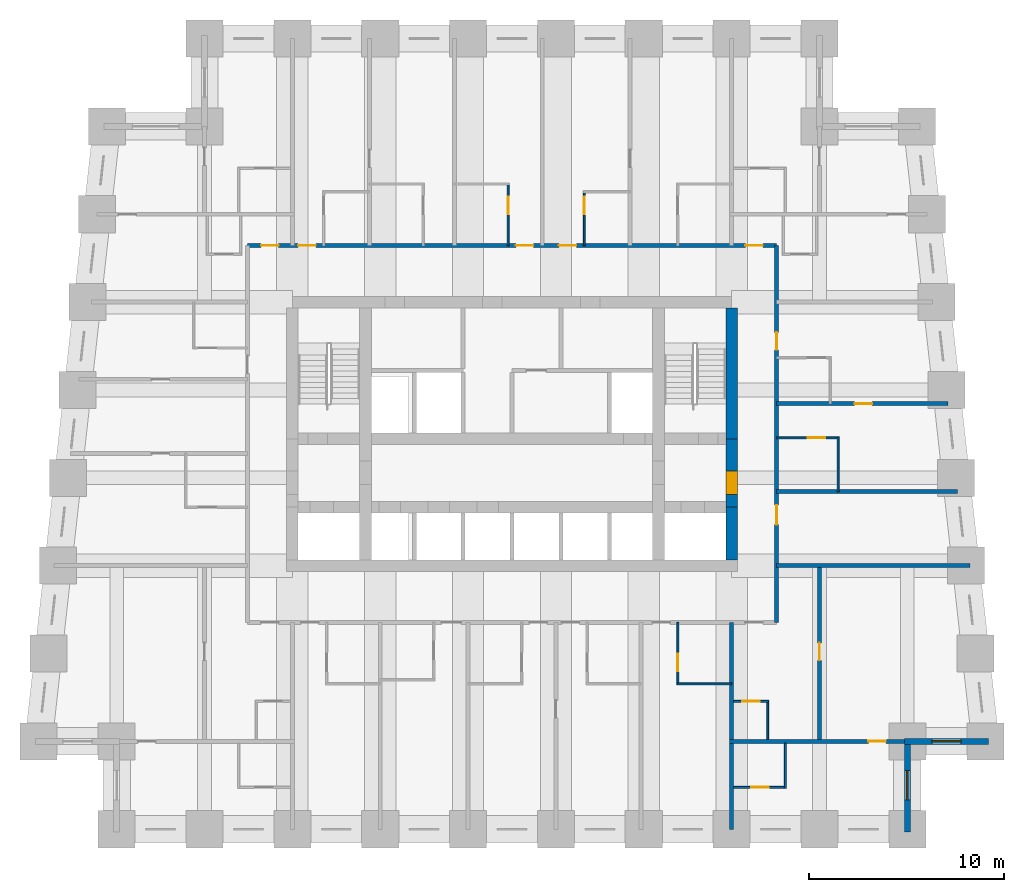
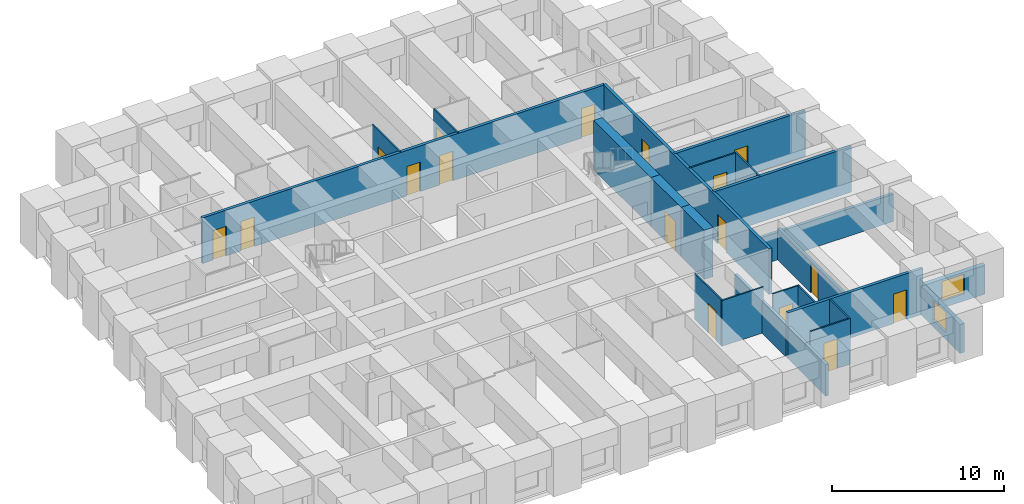
# One storey, part 5 of 8: 23 walls, 17 doors, 2 windows, 19 openings.
"""IFC4 building model written with IfcOpenShell, lengths in metres."""

from ifc_helpers import new_model, si_unit, direction, frame, frame_2d, origin, place, context, subcontext, project, spatial, rectangle, extrude, material, layer, layer_set, type_object, element, fill, save


model = new_model("IFC4")

# Units and contexts
model_context = context("Model", 3, precision=1e-05, world=origin(), true_north=direction((0.0, 1.0)))
body_context = subcontext(model_context, "Body", "Model", "MODEL_VIEW")
ifc_project = project(units=[si_unit("LENGTHUNIT", "METRE"), si_unit("AREAUNIT", "SQUARE_METRE"), si_unit("VOLUMEUNIT", "CUBIC_METRE"), si_unit("PLANEANGLEUNIT", "RADIAN"), si_unit("MASSUNIT", "GRAM", prefix="KILO")], contexts=[model_context])

# Site, building, storey
site_placement = place(None, origin())
site = spatial("IfcSite", under=ifc_project, at=site_placement, CompositionType="ELEMENT")
building_placement = place(site_placement, origin())
building = spatial("IfcBuilding", under=site, at=building_placement, Name="Kilele Tower Hotel", CompositionType="ELEMENT")
storey_placement = place(building_placement, frame((0.0, 0.0, 61.199951171875)))
storey = spatial("IfcBuildingStorey", under=building, at=storey_placement, Name="L14", CompositionType="ELEMENT", Elevation=61.199951171875)

# Wall
ifc_material_1 = material(Name="Moisture-resistant board")
ifc_layer_1 = layer(ifc_material_1, 0.10009765625)
ifc_layer_set_1 = layer_set([ifc_layer_1], Name="Moisture-resistant board")
wall_type_1 = type_object("IfcWallType", Name="Bathroom partition 100", PredefinedType="PLUMBINGWALL", material=ifc_layer_set_1)
wall_1_placement = place(storey_placement, frame((33.199951171875, 7.449951171875, 0.0), z_axis=(0.0, 0.0, 1.0), x_axis=(1.0, 0.0, 0.0)))
element("IfcWall", 1, at=wall_1_placement, inside=storey, type_object=wall_type_1, Name="Bathroom partition 100 L14", PredefinedType="PLUMBINGWALL", context=body_context, shape_type="SweptSolid", body=[
    extrude(rectangle(XDim=2.800048828125, YDim=0.10009765625, at=frame_2d((1.39990234375, 0.0))), origin(), (0.0, 0.0, 1.0), 3.25),
])

# Wall, opening, door
wall_2_placement = place(storey_placement, frame((33.25, 10.60009765625, 0.0), z_axis=(0.0, 0.0, 1.0), x_axis=(0.0, -1.0, 0.0)))
wall_2 = element("IfcWall", 2, at=wall_2_placement, inside=storey, type_object=wall_type_1, Name="Bathroom partition 100 L14", PredefinedType="PLUMBINGWALL", context=body_context, shape_type="SweptSolid", body=[
    extrude(rectangle(XDim=3.2001953125, YDim=0.10009765625, at=frame_2d((1.60009765625, 0.0))), origin(), (0.0, 0.0, 1.0), 3.25),
])
opening_1_placement = place(wall_2_placement, frame((2.5, 0.0, 0.0), z_axis=(0.0, 0.0, 1.0), x_axis=(-1.0, 0.0, 0.0)))
opening_1 = element("IfcOpeningElement", 3, at=opening_1_placement, cuts=wall_2, Name="Opening D2A", PredefinedType="OPENING", context=body_context, shape_type="SweptSolid", body=[
    extrude(rectangle(XDim=0.89990234375, YDim=2.10009765625, at=frame_2d((0.449951171875, 1.050048828125))), frame((0.0, 0.06005859375, 0.0), z_axis=(0.0, -1.0, 0.0), x_axis=(1.0, 0.0, 0.0)), (0.0, 0.0, 1.0), 0.1201171875),
])
ifc_material_2 = material(Name="Timber door leaf in hardwood frame", Category="wood")
door_type_1 = type_object("IfcDoorType", Name="Bathroom door 900", OperationType="SINGLE_SWING_LEFT", PredefinedType="DOOR", material=ifc_material_2)
door_1_placement = place(opening_1_placement, origin())
door_1 = element("IfcDoor", 4, at=door_1_placement, inside=storey, type_object=door_type_1, Name="Bathroom door 1405B", OperationType="SINGLE_SWING_LEFT", OverallHeight=2.10009765625, OverallWidth=0.89990234375, PredefinedType="DOOR", context=body_context, shape_type="SweptSolid", body=[
    extrude(rectangle(XDim=0.89990234375, YDim=2.10009765625, at=frame_2d((0.449951171875, 1.050048828125))), frame((0.0, 0.02490234375, 0.0), z_axis=(0.0, -1.0, 0.0), x_axis=(1.0, 0.0, 0.0)), (0.0, 0.0, 1.0), 0.050048828125),
])
fill(opening_1, door_1)

# Wall
wall_3_placement = place(storey_placement, frame((41.449951171875, 17.300048828125, 0.0), z_axis=(0.0, 0.0, 1.0), x_axis=(0.0, 1.0, 0.0)))
element("IfcWall", 5, at=wall_3_placement, inside=storey, type_object=wall_type_1, Name="Bathroom partition 100 L14", PredefinedType="PLUMBINGWALL", context=body_context, shape_type="SweptSolid", body=[
    extrude(rectangle(XDim=2.800048828125, YDim=0.10009765625, at=frame_2d((1.39990234375, 0.0))), origin(), (0.0, 0.0, 1.0), 3.25),
])

# Wall, opening, door
wall_4_placement = place(storey_placement, frame((38.300048828125, 20.050048828125, 0.0), z_axis=(0.0, 0.0, 1.0), x_axis=(1.0, 0.0, 0.0)))
wall_4 = element("IfcWall", 6, at=wall_4_placement, inside=storey, type_object=wall_type_1, Name="Bathroom partition 100 L14", PredefinedType="PLUMBINGWALL", context=body_context, shape_type="SweptSolid", body=[
    extrude(rectangle(XDim=3.199951171875, YDim=0.10009765625, at=frame_2d((1.60009765625, 0.0))), origin(), (0.0, 0.0, 1.0), 3.25),
])
opening_2_placement = place(wall_4_placement, frame((1.60009765625, 0.0, 0.0)))
opening_2 = element("IfcOpeningElement", 7, at=opening_2_placement, cuts=wall_4, Name="Opening D2A", PredefinedType="OPENING", context=body_context, shape_type="SweptSolid", body=[
    extrude(rectangle(XDim=0.89990234375, YDim=2.10009765625, at=frame_2d((0.449951171875, 1.050048828125))), frame((0.0, 0.06005859375, 0.0), z_axis=(0.0, -1.0, 0.0), x_axis=(1.0, 0.0, 0.0)), (0.0, 0.0, 1.0), 0.1201171875),
])
door_2_placement = place(opening_2_placement, origin())
door_2 = element("IfcDoor", 8, at=door_2_placement, inside=storey, type_object=door_type_1, Name="Bathroom door 1407B", OperationType="SINGLE_SWING_LEFT", OverallHeight=2.10009765625, OverallWidth=0.89990234375, PredefinedType="DOOR", context=body_context, shape_type="SweptSolid", body=[
    extrude(rectangle(XDim=0.89990234375, YDim=2.10009765625, at=frame_2d((0.449951171875, 1.050048828125))), frame((0.0, 0.02490234375, 0.0), z_axis=(0.0, -1.0, 0.0), x_axis=(1.0, 0.0, 0.0)), (0.0, 0.0, 1.0), 0.050048828125),
])
fill(opening_2, door_2)

wall_5_placement = place(storey_placement, frame((24.550048828125, 29.89990234375, 0.0), z_axis=(0.0, 0.0, 1.0), x_axis=(0.0, 1.0, 0.0)))
wall_5 = element("IfcWall", 9, at=wall_5_placement, inside=storey, type_object=wall_type_1, Name="Bathroom partition 100 L14", PredefinedType="PLUMBINGWALL", context=body_context, shape_type="SweptSolid", body=[
    extrude(rectangle(XDim=3.2001953125, YDim=0.10009765625, at=frame_2d((1.60009765625, 0.0))), origin(), (0.0, 0.0, 1.0), 3.25),
])
opening_3_placement = place(wall_5_placement, frame((2.5, 0.0, 0.0), z_axis=(0.0, 0.0, 1.0), x_axis=(-1.0, 0.0, 0.0)))
opening_3 = element("IfcOpeningElement", 10, at=opening_3_placement, cuts=wall_5, Name="Opening D2A", PredefinedType="OPENING", context=body_context, shape_type="SweptSolid", body=[
    extrude(rectangle(XDim=0.89990234375, YDim=2.10009765625, at=frame_2d((0.449951171875, 1.050048828125))), frame((0.0, 0.06005859375, 0.0), z_axis=(0.0, -1.0, 0.0), x_axis=(1.0, 0.0, 0.0)), (0.0, 0.0, 1.0), 0.1201171875),
])
door_3_placement = place(opening_3_placement, origin())
door_3 = element("IfcDoor", 11, at=door_3_placement, inside=storey, type_object=door_type_1, Name="Bathroom door 1411B", OperationType="SINGLE_SWING_RIGHT", OverallHeight=2.10009765625, OverallWidth=0.89990234375, PredefinedType="DOOR", context=body_context, shape_type="SweptSolid", body=[
    extrude(rectangle(XDim=0.89990234375, YDim=2.10009765625, at=frame_2d((0.449951171875, 1.050048828125))), frame((0.0, 0.02490234375, 0.0), z_axis=(0.0, -1.0, 0.0), x_axis=(1.0, 0.0, 0.0)), (0.0, 0.0, 1.0), 0.050048828125),
])
fill(opening_3, door_3)

wall_6_placement = place(storey_placement, frame((28.449951171875, 29.89990234375, 0.0), z_axis=(0.0, 0.0, 1.0), x_axis=(0.0, 1.0, 0.0)))
wall_6 = element("IfcWall", 12, at=wall_6_placement, inside=storey, type_object=wall_type_1, Name="Bathroom partition 100 L14", PredefinedType="PLUMBINGWALL", context=body_context, shape_type="SweptSolid", body=[
    extrude(rectangle(XDim=2.800048828125, YDim=0.10009765625, at=frame_2d((1.39990234375, 0.0))), origin(), (0.0, 0.0, 1.0), 3.25),
])
opening_4_placement = place(wall_6_placement, frame((1.60009765625, 0.0, 0.0)))
opening_4 = element("IfcOpeningElement", 13, at=opening_4_placement, cuts=wall_6, Name="Opening D2A", PredefinedType="OPENING", context=body_context, shape_type="SweptSolid", body=[
    extrude(rectangle(XDim=0.89990234375, YDim=2.10009765625, at=frame_2d((0.449951171875, 1.050048828125))), frame((0.0, 0.06005859375, 0.0), z_axis=(0.0, -1.0, 0.0), x_axis=(1.0, 0.0, 0.0)), (0.0, 0.0, 1.0), 0.1201171875),
])
door_4_placement = place(opening_4_placement, origin())
door_4 = element("IfcDoor", 14, at=door_4_placement, inside=storey, type_object=door_type_1, Name="Bathroom door 1412B", OperationType="SINGLE_SWING_LEFT", OverallHeight=2.10009765625, OverallWidth=0.89990234375, PredefinedType="DOOR", context=body_context, shape_type="SweptSolid", body=[
    extrude(rectangle(XDim=0.89990234375, YDim=2.10009765625, at=frame_2d((0.449951171875, 1.050048828125))), frame((0.0, 0.02490234375, 0.0), z_axis=(0.0, -1.0, 0.0), x_axis=(1.0, 0.0, 0.0)), (0.0, 0.0, 1.0), 0.050048828125),
])
fill(opening_4, door_4)

# Wall
wall_7_placement = place(storey_placement, frame((37.85009765625, 4.60009765625, 0.0), z_axis=(0.0, 0.0, 1.0), x_axis=(0.0, 1.0, 0.0)))
element("IfcWall", 15, at=wall_7_placement, inside=storey, type_object=wall_type_1, Name="Bathroom partition 100 L14", PredefinedType="PLUMBINGWALL", context=body_context, shape_type="SweptSolid", body=[
    extrude(rectangle(XDim=2.0, YDim=0.10009765625, at=frame_2d((1.0, 0.0))), origin(), (0.0, 0.0, 1.0), 3.25),
])

# Wall, opening, door
wall_8_placement = place(storey_placement, frame((36.10009765625, 6.550048828125, 0.0), z_axis=(0.0, 0.0, 1.0), x_axis=(1.0, 0.0, 0.0)))
wall_8 = element("IfcWall", 16, at=wall_8_placement, inside=storey, type_object=wall_type_1, Name="Bathroom partition 100 L14", PredefinedType="PLUMBINGWALL", context=body_context, shape_type="SweptSolid", body=[
    extrude(rectangle(XDim=1.7998046875, YDim=0.10009765625, at=frame_2d((0.89990234375, 0.0))), origin(), (0.0, 0.0, 1.0), 3.25),
])
opening_5_placement = place(wall_8_placement, frame((0.449951171875, 0.0, 0.0)))
opening_5 = element("IfcOpeningElement", 17, at=opening_5_placement, cuts=wall_8, Name="Opening D2A", PredefinedType="OPENING", context=body_context, shape_type="SweptSolid", body=[
    extrude(rectangle(XDim=0.89990234375, YDim=2.10009765625, at=frame_2d((0.449951171875, 1.050048828125))), frame((0.0, 0.06005859375, 0.0), z_axis=(0.0, -1.0, 0.0), x_axis=(1.0, 0.0, 0.0)), (0.0, 0.0, 1.0), 0.1201171875),
])
door_5_placement = place(opening_5_placement, origin())
door_5 = element("IfcDoor", 18, at=door_5_placement, inside=storey, type_object=door_type_1, Name="Bathroom door 1420P", OperationType="SINGLE_SWING_LEFT", OverallHeight=2.10009765625, OverallWidth=0.89990234375, PredefinedType="DOOR", context=body_context, shape_type="SweptSolid", body=[
    extrude(rectangle(XDim=0.89990234375, YDim=2.10009765625, at=frame_2d((0.449951171875, 1.050048828125))), frame((0.0, 0.02490234375, 0.0), z_axis=(0.0, -1.0, 0.0), x_axis=(1.0, 0.0, 0.0)), (0.0, 0.0, 1.0), 0.050048828125),
])
fill(opening_5, door_5)

# Wall
wall_9_placement = place(storey_placement, frame((38.75, 4.39990234375, 0.0), z_axis=(0.0, 0.0, 1.0), x_axis=(0.0, -1.0, 0.0)))
element("IfcWall", 19, at=wall_9_placement, inside=storey, type_object=wall_type_1, Name="Bathroom partition 100 L14", PredefinedType="PLUMBINGWALL", context=body_context, shape_type="SweptSolid", body=[
    extrude(rectangle(XDim=2.2998046875, YDim=0.10009765625, at=frame_2d((1.14990234375, 0.0))), origin(), (0.0, 0.0, 1.0), 3.25),
])

# Wall, opening, door
wall_10_placement = place(storey_placement, frame((36.10009765625, 2.14990234375, 0.0), z_axis=(0.0, 0.0, 1.0), x_axis=(1.0, 0.0, 0.0)))
wall_10 = element("IfcWall", 20, at=wall_10_placement, inside=storey, type_object=wall_type_1, Name="Bathroom partition 100 L14", PredefinedType="PLUMBINGWALL", context=body_context, shape_type="SweptSolid", body=[
    extrude(rectangle(XDim=2.699951171875, YDim=0.10009765625, at=frame_2d((1.35009765625, 0.0))), origin(), (0.0, 0.0, 1.0), 3.25),
])
opening_6_placement = place(wall_10_placement, frame((1.7998046875, 0.0, 0.0), z_axis=(0.0, 0.0, 1.0), x_axis=(-1.0, 0.0, 0.0)))
opening_6 = element("IfcOpeningElement", 21, at=opening_6_placement, cuts=wall_10, Name="Opening D2A", PredefinedType="OPENING", context=body_context, shape_type="SweptSolid", body=[
    extrude(rectangle(XDim=0.89990234375, YDim=2.10009765625, at=frame_2d((0.449951171875, 1.050048828125))), frame((0.0, 0.06005859375, 0.0), z_axis=(0.0, -1.0, 0.0), x_axis=(1.0, 0.0, 0.0)), (0.0, 0.0, 1.0), 0.1201171875),
])
door_6_placement = place(opening_6_placement, origin())
door_6 = element("IfcDoor", 22, at=door_6_placement, inside=storey, type_object=door_type_1, Name="Bathroom door 1422B", OperationType="SINGLE_SWING_RIGHT", OverallHeight=2.10009765625, OverallWidth=0.89990234375, PredefinedType="DOOR", context=body_context, shape_type="SweptSolid", body=[
    extrude(rectangle(XDim=0.89990234375, YDim=2.10009765625, at=frame_2d((0.449951171875, 1.050048828125))), frame((0.0, 0.02490234375, 0.0), z_axis=(0.0, -1.0, 0.0), x_axis=(1.0, 0.0, 0.0)), (0.0, 0.0, 1.0), 0.050048828125),
])
fill(opening_6, door_6)

# Wall
ifc_material_3 = material(Name="Concrete C60/75", Category="concrete")
ifc_layer_2 = layer(ifc_material_3, 0.60009765625)
ifc_layer_set_2 = layer_set([ifc_layer_2], Name="Concrete C60/75")
wall_type_2 = type_object("IfcWallType", Name="Core wall 600 C60/75", PredefinedType="SHEAR", material=ifc_layer_set_2)
wall_11_placement = place(storey_placement, frame((36.0, 13.800048828125, 0.0), z_axis=(0.0, 0.0, 1.0), x_axis=(0.0, 1.0, 0.0)))
element("IfcWall", 23, at=wall_11_placement, inside=storey, type_object=wall_type_2, Name="Core wall E1 L14", PredefinedType="SHEAR", context=body_context, shape_type="SweptSolid", body=[
    extrude(rectangle(XDim=2.699951171875, YDim=0.60009765625, at=frame_2d((1.35009765625, 0.0))), origin(), (0.0, 0.0, 1.0), 3.5),
])

# Wall, opening, door
wall_12_placement = place(storey_placement, frame((36.0, 16.5, 0.0), z_axis=(0.0, 0.0, 1.0), x_axis=(0.0, 1.0, 0.0)))
wall_12 = element("IfcWall", 24, at=wall_12_placement, inside=storey, type_object=wall_type_2, Name="Core wall E2 L14", PredefinedType="SHEAR", context=body_context, shape_type="SweptSolid", body=[
    extrude(rectangle(XDim=3.5, YDim=0.60009765625, at=frame_2d((1.75, 0.0))), origin(), (0.0, 0.0, 1.0), 3.5),
])
opening_7_placement = place(wall_12_placement, frame((0.64990234375, 0.0, 0.0)))
opening_7 = element("IfcOpeningElement", 25, at=opening_7_placement, cuts=wall_12, Name="Opening D4", PredefinedType="OPENING", context=body_context, shape_type="SweptSolid", body=[
    extrude(rectangle(XDim=1.199951171875, YDim=2.10009765625, at=frame_2d((0.60009765625, 1.050048828125))), frame((0.0, 0.31005859375, 0.0), z_axis=(0.0, -1.0, 0.0), x_axis=(1.0, 0.0, 0.0)), (0.0, 0.0, 1.0), 0.6201171875),
])
ifc_material_4 = material(Name="Timber door leaf in hardwood frame", Category="wood")
door_type_2 = type_object("IfcDoorType", Name="Firefighting lobby door 1200", OperationType="SINGLE_SWING_LEFT", PredefinedType="DOOR", material=ifc_material_4)
door_7_placement = place(opening_7_placement, origin())
door_7 = element("IfcDoor", 26, at=door_7_placement, inside=storey, type_object=door_type_2, Name="Lobby door L14", OperationType="SINGLE_SWING_LEFT", OverallHeight=2.10009765625, OverallWidth=1.199951171875, PredefinedType="DOOR", context=body_context, shape_type="SweptSolid", body=[
    extrude(rectangle(XDim=1.199951171875, YDim=2.10009765625, at=frame_2d((0.60009765625, 1.050048828125))), frame((0.0, 0.2998046875, 0.0), z_axis=(0.0, -1.0, 0.0), x_axis=(1.0, 0.0, 0.0)), (0.0, 0.0, 1.0), 0.599609375),
])
fill(opening_7, door_7)

# Wall
wall_13_placement = place(storey_placement, frame((36.0, 20.0, 0.0), z_axis=(0.0, 0.0, 1.0), x_axis=(0.0, 1.0, 0.0)))
element("IfcWall", 27, at=wall_13_placement, inside=storey, type_object=wall_type_2, Name="Core wall E3 L14", PredefinedType="SHEAR", context=body_context, shape_type="SweptSolid", body=[
    extrude(rectangle(XDim=6.699951171875, YDim=0.60009765625, at=frame_2d((3.35009765625, 0.0))), origin(), (0.0, 0.0, 1.0), 3.5),
])

# Wall, openings, doors
ifc_material_5 = material(Name="Blockwork, plastered both sides", Category="masonry")
ifc_layer_3 = layer(ifc_material_5, 0.199951171875)
ifc_layer_set_3 = layer_set([ifc_layer_3], Name="Blockwork, plastered both sides")
wall_type_3 = type_object("IfcWallType", Name="Corridor wall 200", PredefinedType="PARTITIONING", material=ifc_layer_set_3)
wall_14_placement = place(storey_placement, frame((11.199951171875, 29.89990234375, 0.0), z_axis=(0.0, 0.0, 1.0), x_axis=(1.0, 0.0, 0.0)))
wall_14 = element("IfcWall", 28, at=wall_14_placement, inside=storey, type_object=wall_type_3, Name="Corridor wall 200 L14", PredefinedType="PARTITIONING", context=body_context, shape_type="SweptSolid", body=[
    extrude(rectangle(XDim=27.10009765625, YDim=0.199951171875, at=frame_2d((13.550048828125, 0.0))), origin(), (0.0, 0.0, 1.0), 3.25),
])
opening_8_placement = place(wall_14_placement, frame((2.60009765625, 0.0, 0.0)))
opening_8 = element("IfcOpeningElement", 29, at=opening_8_placement, cuts=wall_14, Name="Opening D1", PredefinedType="OPENING", context=body_context, shape_type="SweptSolid", body=[
    extrude(rectangle(XDim=0.89990234375, YDim=2.10009765625, at=frame_2d((0.449951171875, 1.050048828125))), frame((0.0, 0.10986328125, 0.0), z_axis=(0.0, -1.0, 0.0), x_axis=(1.0, 0.0, 0.0)), (0.0, 0.0, 1.0), 0.219970703125),
])
opening_9_placement = place(wall_14_placement, frame((13.75, 0.0, 0.0)))
opening_9 = element("IfcOpeningElement", 30, at=opening_9_placement, cuts=wall_14, Name="Opening D1", PredefinedType="OPENING", context=body_context, shape_type="SweptSolid", body=[
    extrude(rectangle(XDim=0.89990234375, YDim=2.10009765625, at=frame_2d((0.449951171875, 1.050048828125))), frame((0.0, 0.10986328125, 0.0), z_axis=(0.0, -1.0, 0.0), x_axis=(1.0, 0.0, 0.0)), (0.0, 0.0, 1.0), 0.219970703125),
])
opening_10_placement = place(wall_14_placement, frame((15.949951171875, 0.0, 0.0)))
opening_10 = element("IfcOpeningElement", 31, at=opening_10_placement, cuts=wall_14, Name="Opening D1", PredefinedType="OPENING", context=body_context, shape_type="SweptSolid", body=[
    extrude(rectangle(XDim=0.89990234375, YDim=2.10009765625, at=frame_2d((0.449951171875, 1.050048828125))), frame((0.0, 0.10986328125, 0.0), z_axis=(0.0, -1.0, 0.0), x_axis=(1.0, 0.0, 0.0)), (0.0, 0.0, 1.0), 0.219970703125),
])
opening_11_placement = place(wall_14_placement, frame((25.5, 0.0, 0.0)))
opening_11 = element("IfcOpeningElement", 32, at=opening_11_placement, cuts=wall_14, Name="Opening D1", PredefinedType="OPENING", context=body_context, shape_type="SweptSolid", body=[
    extrude(rectangle(XDim=0.89990234375, YDim=2.10009765625, at=frame_2d((0.449951171875, 1.050048828125))), frame((0.0, 0.10986328125, 0.0), z_axis=(0.0, -1.0, 0.0), x_axis=(1.0, 0.0, 0.0)), (0.0, 0.0, 1.0), 0.219970703125),
])
opening_12_placement = place(wall_14_placement, frame((0.699951171875, 0.0, 0.0)))
opening_12 = element("IfcOpeningElement", 33, at=opening_12_placement, cuts=wall_14, Name="Opening D1", PredefinedType="OPENING", context=body_context, shape_type="SweptSolid", body=[
    extrude(rectangle(XDim=0.89990234375, YDim=2.10009765625, at=frame_2d((0.449951171875, 1.050048828125))), frame((0.0, 0.10986328125, 0.0), z_axis=(0.0, -1.0, 0.0), x_axis=(1.0, 0.0, 0.0)), (0.0, 0.0, 1.0), 0.219970703125),
])
ifc_material_6 = material(Name="Timber door leaf in hardwood frame", Category="wood")
door_type_3 = type_object("IfcDoorType", Name="Guest room entrance door 900", OperationType="SINGLE_SWING_LEFT", PredefinedType="DOOR", material=ifc_material_6)
door_8_placement = place(opening_8_placement, origin())
door_8 = element("IfcDoor", 34, at=door_8_placement, inside=storey, type_object=door_type_3, Name="Room entrance 1409", OperationType="SINGLE_SWING_LEFT", OverallHeight=2.10009765625, OverallWidth=0.89990234375, PredefinedType="DOOR", context=body_context, shape_type="SweptSolid", body=[
    extrude(rectangle(XDim=0.89990234375, YDim=2.10009765625, at=frame_2d((0.449951171875, 1.050048828125))), frame((0.0, 0.02490234375, 0.0), z_axis=(0.0, -1.0, 0.0), x_axis=(1.0, 0.0, 0.0)), (0.0, 0.0, 1.0), 0.050048828125),
])
fill(opening_8, door_8)
door_9_placement = place(opening_9_placement, origin())
door_9 = element("IfcDoor", 35, at=door_9_placement, inside=storey, type_object=door_type_3, Name="Room entrance 1411", OperationType="SINGLE_SWING_RIGHT", OverallHeight=2.10009765625, OverallWidth=0.89990234375, PredefinedType="DOOR", context=body_context, shape_type="SweptSolid", body=[
    extrude(rectangle(XDim=0.89990234375, YDim=2.10009765625, at=frame_2d((0.449951171875, 1.050048828125))), frame((0.0, 0.02490234375, 0.0), z_axis=(0.0, -1.0, 0.0), x_axis=(1.0, 0.0, 0.0)), (0.0, 0.0, 1.0), 0.050048828125),
])
fill(opening_9, door_9)
door_10_placement = place(opening_10_placement, origin())
door_10 = element("IfcDoor", 36, at=door_10_placement, inside=storey, type_object=door_type_3, Name="Room entrance 1412", OperationType="SINGLE_SWING_RIGHT", OverallHeight=2.10009765625, OverallWidth=0.89990234375, PredefinedType="DOOR", context=body_context, shape_type="SweptSolid", body=[
    extrude(rectangle(XDim=0.89990234375, YDim=2.10009765625, at=frame_2d((0.449951171875, 1.050048828125))), frame((0.0, 0.02490234375, 0.0), z_axis=(0.0, -1.0, 0.0), x_axis=(1.0, 0.0, 0.0)), (0.0, 0.0, 1.0), 0.050048828125),
])
fill(opening_10, door_10)
door_11_placement = place(opening_11_placement, origin())
door_11 = element("IfcDoor", 37, at=door_11_placement, inside=storey, type_object=door_type_3, Name="Room entrance 1423", OperationType="SINGLE_SWING_LEFT", OverallHeight=2.10009765625, OverallWidth=0.89990234375, PredefinedType="DOOR", context=body_context, shape_type="SweptSolid", body=[
    extrude(rectangle(XDim=0.89990234375, YDim=2.10009765625, at=frame_2d((0.449951171875, 1.050048828125))), frame((0.0, 0.02490234375, 0.0), z_axis=(0.0, -1.0, 0.0), x_axis=(1.0, 0.0, 0.0)), (0.0, 0.0, 1.0), 0.050048828125),
])
fill(opening_11, door_11)
door_12_placement = place(opening_12_placement, origin())
door_12 = element("IfcDoor", 38, at=door_12_placement, inside=storey, type_object=door_type_3, Name="Room entrance 1426", OperationType="SINGLE_SWING_RIGHT", OverallHeight=2.10009765625, OverallWidth=0.89990234375, PredefinedType="DOOR", context=body_context, shape_type="SweptSolid", body=[
    extrude(rectangle(XDim=0.89990234375, YDim=2.10009765625, at=frame_2d((0.449951171875, 1.050048828125))), frame((0.0, 0.02490234375, 0.0), z_axis=(0.0, -1.0, 0.0), x_axis=(1.0, 0.0, 0.0)), (0.0, 0.0, 1.0), 0.050048828125),
])
fill(opening_12, door_12)

wall_15_placement = place(storey_placement, frame((38.300048828125, 10.60009765625, 0.0), z_axis=(0.0, 0.0, 1.0), x_axis=(0.0, 1.0, 0.0)))
wall_15 = element("IfcWall", 39, at=wall_15_placement, inside=storey, type_object=wall_type_3, Name="Corridor wall 200 L14", PredefinedType="PARTITIONING", context=body_context, shape_type="SweptSolid", body=[
    extrude(rectangle(XDim=19.2998046875, YDim=0.199951171875, at=frame_2d((9.64990234375, 0.0))), origin(), (0.0, 0.0, 1.0), 3.25),
])
opening_13_placement = place(wall_15_placement, frame((6.0, 0.0, 0.0), z_axis=(0.0, 0.0, 1.0), x_axis=(-1.0, 0.0, 0.0)))
opening_13 = element("IfcOpeningElement", 40, at=opening_13_placement, cuts=wall_15, Name="Opening D8", PredefinedType="OPENING", context=body_context, shape_type="SweptSolid", body=[
    extrude(rectangle(XDim=1.0, YDim=2.10009765625, at=frame_2d((0.5, 1.050048828125))), frame((0.0, 0.10986328125, 0.0), z_axis=(0.0, -1.0, 0.0), x_axis=(1.0, 0.0, 0.0)), (0.0, 0.0, 1.0), 0.219970703125),
])
opening_14_placement = place(wall_15_placement, frame((14.849853515625, 0.0, 0.0), z_axis=(0.0, 0.0, 1.0), x_axis=(-1.0, 0.0, 0.0)))
opening_14 = element("IfcOpeningElement", 41, at=opening_14_placement, cuts=wall_15, Name="Opening D1", PredefinedType="OPENING", context=body_context, shape_type="SweptSolid", body=[
    extrude(rectangle(XDim=0.89990234375, YDim=2.10009765625, at=frame_2d((0.449951171875, 1.050048828125))), frame((0.0, 0.10986328125, 0.0), z_axis=(0.0, -1.0, 0.0), x_axis=(1.0, 0.0, 0.0)), (0.0, 0.0, 1.0), 0.219970703125),
])
ifc_material_7 = material(Name="Timber door leaf in hardwood frame", Category="wood")
door_type_4 = type_object("IfcDoorType", Name="Door 1000", OperationType="SINGLE_SWING_LEFT", PredefinedType="DOOR", material=ifc_material_7)
door_13_placement = place(opening_13_placement, origin())
door_13 = element("IfcDoor", 42, at=door_13_placement, inside=storey, type_object=door_type_4, Name="Room entrance 1406", OperationType="SINGLE_SWING_LEFT", OverallHeight=2.10009765625, OverallWidth=1.0, PredefinedType="DOOR", context=body_context, shape_type="SweptSolid", body=[
    extrude(rectangle(XDim=1.0, YDim=2.10009765625, at=frame_2d((0.5, 1.050048828125))), frame((0.0, 0.02490234375, 0.0), z_axis=(0.0, -1.0, 0.0), x_axis=(1.0, 0.0, 0.0)), (0.0, 0.0, 1.0), 0.050048828125),
])
fill(opening_13, door_13)
door_14_placement = place(opening_14_placement, origin())
door_14 = element("IfcDoor", 43, at=door_14_placement, inside=storey, type_object=door_type_3, Name="Room entrance 1408", OperationType="SINGLE_SWING_RIGHT", OverallHeight=2.10009765625, OverallWidth=0.89990234375, PredefinedType="DOOR", context=body_context, shape_type="SweptSolid", body=[
    extrude(rectangle(XDim=0.89990234375, YDim=2.10009765625, at=frame_2d((0.449951171875, 1.050048828125))), frame((0.0, 0.02490234375, 0.0), z_axis=(0.0, -1.0, 0.0), x_axis=(1.0, 0.0, 0.0)), (0.0, 0.0, 1.0), 0.050048828125),
])
fill(opening_14, door_14)

# Wall, opening, door
ifc_material_8 = material(Name="Blockwork, plastered both sides", Category="masonry")
ifc_layer_4 = layer(ifc_material_8, 0.199951171875)
ifc_layer_set_4 = layer_set([ifc_layer_4], Name="Blockwork, plastered both sides")
wall_type_4 = type_object("IfcWallType", Name="Partition wall 200", PredefinedType="PARTITIONING", material=ifc_layer_set_4)
wall_16_placement = place(storey_placement, frame((40.5, 4.60009765625, 0.0), z_axis=(0.0, 0.0, 1.0), x_axis=(0.0, 1.0, 0.0)))
wall_16 = element("IfcWall", 44, at=wall_16_placement, inside=storey, type_object=wall_type_4, Name="Partition wall 200 L14", PredefinedType="PARTITIONING", context=body_context, shape_type="SweptSolid", body=[
    extrude(rectangle(XDim=8.7998046875, YDim=0.199951171875, at=frame_2d((4.39990234375, 0.0))), origin(), (0.0, 0.0, 1.0), 2.25),
])
opening_15_placement = place(wall_16_placement, frame((4.050048828125, 0.0, 0.0)))
opening_15 = element("IfcOpeningElement", 45, at=opening_15_placement, cuts=wall_16, Name="Opening D3", PredefinedType="OPENING", context=body_context, shape_type="SweptSolid", body=[
    extrude(rectangle(XDim=0.89990234375, YDim=2.10009765625, at=frame_2d((0.449951171875, 1.050048828125))), frame((0.0, 0.10986328125, 0.0), z_axis=(0.0, -1.0, 0.0), x_axis=(1.0, 0.0, 0.0)), (0.0, 0.0, 1.0), 0.219970703125),
])
ifc_material_9 = material(Name="Timber door leaf in hardwood frame", Category="wood")
door_type_5 = type_object("IfcDoorType", Name="Suite internal door 900", OperationType="SINGLE_SWING_LEFT", PredefinedType="DOOR", material=ifc_material_9)
door_15_placement = place(opening_15_placement, origin())
door_15 = element("IfcDoor", 46, at=door_15_placement, inside=storey, type_object=door_type_5, Name="Suite door 1421", OperationType="SINGLE_SWING_RIGHT", OverallHeight=2.10009765625, OverallWidth=0.89990234375, PredefinedType="DOOR", context=body_context, shape_type="SweptSolid", body=[
    extrude(rectangle(XDim=0.89990234375, YDim=2.10009765625, at=frame_2d((0.449951171875, 1.050048828125))), frame((0.0, 0.02490234375, 0.0), z_axis=(0.0, -1.0, 0.0), x_axis=(1.0, 0.0, 0.0)), (0.0, 0.0, 1.0), 0.050048828125),
])
fill(opening_15, door_15)

# Wall
ifc_material_10 = material(Name="Blockwork, plastered both sides", Category="masonry")
ifc_layer_5 = layer(ifc_material_10, 0.199951171875)
ifc_layer_set_5 = layer_set([ifc_layer_5], Name="Blockwork, plastered both sides")
wall_type_5 = type_object("IfcWallType", Name="Party wall 200", PredefinedType="PARTITIONING", material=ifc_layer_set_5)
wall_17_placement = place(storey_placement, frame((38.300048828125, 17.300048828125, 0.0), z_axis=(0.0, 0.0, 1.0), x_axis=(1.0, 0.0, 0.0)))
element("IfcWall", 47, at=wall_17_placement, inside=storey, type_object=wall_type_5, Name="Party wall 200 L14", PredefinedType="PARTITIONING", context=body_context, shape_type="SweptSolid", body=[
    extrude(rectangle(XDim=9.27685546875, YDim=0.199951171875, at=frame_2d((4.638427734375, 0.0))), origin(), (0.0, 0.0, 1.0), 3.25),
])

# Wall, opening, door
wall_18_placement = place(storey_placement, frame((38.300048828125, 21.800048828125, 0.0), z_axis=(0.0, 0.0, 1.0), x_axis=(1.0, 0.0, 0.0)))
wall_18 = element("IfcWall", 48, at=wall_18_placement, inside=storey, type_object=wall_type_5, Name="Party wall 200 L14", PredefinedType="PARTITIONING", context=body_context, shape_type="SweptSolid", body=[
    extrude(rectangle(XDim=8.77685546875, YDim=0.199951171875, at=frame_2d((4.388427734375, 0.0))), origin(), (0.0, 0.0, 1.0), 3.25),
])
opening_16_placement = place(wall_18_placement, frame((4.0, 0.0, 0.0)))
opening_16 = element("IfcOpeningElement", 49, at=opening_16_placement, cuts=wall_18, Name="Opening D3", PredefinedType="OPENING", context=body_context, shape_type="SweptSolid", body=[
    extrude(rectangle(XDim=0.89990234375, YDim=2.10009765625, at=frame_2d((0.449951171875, 1.050048828125))), frame((0.0, 0.10986328125, 0.0), z_axis=(0.0, -1.0, 0.0), x_axis=(1.0, 0.0, 0.0)), (0.0, 0.0, 1.0), 0.219970703125),
])
door_16_placement = place(opening_16_placement, origin())
door_16 = element("IfcDoor", 50, at=door_16_placement, inside=storey, type_object=door_type_5, Name="Suite door 1408", OperationType="SINGLE_SWING_LEFT", OverallHeight=2.10009765625, OverallWidth=0.89990234375, PredefinedType="DOOR", context=body_context, shape_type="SweptSolid", body=[
    extrude(rectangle(XDim=0.89990234375, YDim=2.10009765625, at=frame_2d((0.449951171875, 1.050048828125))), frame((0.0, 0.02490234375, 0.0), z_axis=(0.0, -1.0, 0.0), x_axis=(1.0, 0.0, 0.0)), (0.0, 0.0, 1.0), 0.050048828125),
])
fill(opening_16, door_16)

# Walls
wall_19_placement = place(storey_placement, frame((38.300048828125, 13.5, 0.0), z_axis=(0.0, 0.0, 1.0), x_axis=(1.0, 0.0, 0.0)))
element("IfcWall", 51, at=wall_19_placement, inside=storey, type_object=wall_type_5, Name="Party wall 200 L14", PredefinedType="PARTITIONING", context=body_context, shape_type="SweptSolid", body=[
    extrude(rectangle(XDim=9.921142578125, YDim=0.199951171875, at=frame_2d((4.96044921875, 0.0))), origin(), (0.0, 0.0, 1.0), 1.949951171875),
])
wall_20_placement = place(storey_placement, frame((36.0, 10.60009765625, 0.0), z_axis=(0.0, 0.0, 1.0), x_axis=(0.0, -1.0, 0.0)))
element("IfcWall", 52, at=wall_20_placement, inside=storey, type_object=wall_type_5, Name="Party wall 200 L14", PredefinedType="PARTITIONING", context=body_context, shape_type="SweptSolid", body=[
    extrude(rectangle(XDim=10.60009765625, YDim=0.199951171875, at=frame_2d((5.300048828125, 0.0))), origin(), (0.0, 0.0, 1.0), 2.25),
])

# Wall, opening, door
wall_21_placement = place(storey_placement, frame((35.89990234375, 4.5, 0.0), z_axis=(0.0, 0.0, 1.0), x_axis=(1.0, 0.0, 0.0)))
wall_21 = element("IfcWall", 53, at=wall_21_placement, inside=storey, type_object=wall_type_5, Name="Party wall 200 L14", PredefinedType="PARTITIONING", context=body_context, shape_type="SweptSolid", body=[
    extrude(rectangle(XDim=9.10009765625, YDim=0.199951171875, at=frame_2d((4.550048828125, 0.0))), origin(), (0.0, 0.0, 1.0), 3.25),
])
opening_17_placement = place(wall_21_placement, frame((7.10009765625, 0.0, 0.0)))
opening_17 = element("IfcOpeningElement", 54, at=opening_17_placement, cuts=wall_21, Name="Opening D3", PredefinedType="OPENING", context=body_context, shape_type="SweptSolid", body=[
    extrude(rectangle(XDim=0.89990234375, YDim=2.10009765625, at=frame_2d((0.449951171875, 1.050048828125))), frame((0.0, 0.10986328125, 0.0), z_axis=(0.0, -1.0, 0.0), x_axis=(1.0, 0.0, 0.0)), (0.0, 0.0, 1.0), 0.219970703125),
])
door_17_placement = place(opening_17_placement, origin())
door_17 = element("IfcDoor", 55, at=door_17_placement, inside=storey, type_object=door_type_5, Name="Suite door 1422", OperationType="SINGLE_SWING_RIGHT", OverallHeight=2.10009765625, OverallWidth=0.89990234375, PredefinedType="DOOR", context=body_context, shape_type="SweptSolid", body=[
    extrude(rectangle(XDim=0.89990234375, YDim=2.10009765625, at=frame_2d((0.449951171875, 1.050048828125))), frame((0.0, 0.02490234375, 0.0), z_axis=(0.0, -1.0, 0.0), x_axis=(1.0, 0.0, 0.0)), (0.0, 0.0, 1.0), 0.050048828125),
])
fill(opening_17, door_17)

# Wall, opening, window
ifc_material_11 = material(Name="Concrete C40/50 precast", Category="concrete")
ifc_layer_6 = layer(ifc_material_11, 0.260009765625, Name="Precast backing", Category="LoadBearing")
ifc_material_12 = material(Name="Reconstituted stone finish", Category="masonry")
ifc_layer_7 = layer(ifc_material_12, 0.0400390625, Name="Face mix", Category="Finish")
ifc_layer_set_6 = layer_set([ifc_layer_6, ifc_layer_7], Name="Precast concrete C40/50, reconstituted stone finish")
wall_type_6 = type_object("IfcWallType", Name="Precast stone facade wall 300", PredefinedType="STANDARD", material=ifc_layer_set_6)
wall_22_placement = place(storey_placement, frame((45.0, -0.14990234375, 0.0), z_axis=(0.0, 0.0, 1.0), x_axis=(0.0, 1.0, 0.0)))
wall_22 = element("IfcWall", 56, at=wall_22_placement, inside=storey, type_object=wall_type_6, Name="Facade wall L14 edge 4", PredefinedType="STANDARD", context=body_context, shape_type="SweptSolid", body=[
    extrude(rectangle(XDim=4.7998046875, YDim=0.300048828125, at=frame_2d((2.39990234375, 0.0))), origin(), (0.0, 0.0, 1.0), 2.050048828125),
])
opening_18_placement = place(wall_22_placement, frame((1.64990234375, 0.0, 0.5)))
opening_18 = element("IfcOpeningElement", 57, at=opening_18_placement, cuts=wall_22, Name="Opening W1", PredefinedType="OPENING", context=body_context, shape_type="SweptSolid", body=[
    extrude(rectangle(XDim=1.5, YDim=1.39990234375, at=frame_2d((0.75, 0.699951171875))), frame((0.0, 0.159912109375, 0.0), z_axis=(0.0, -1.0, 0.0), x_axis=(1.0, 0.0, 0.0)), (0.0, 0.0, 1.0), 0.320068359375),
])
ifc_material_13 = material(Name="Aluminium frame, clear double glazing", Category="aluminium")
window_type = type_object("IfcWindowType", Name="Window W1 1500 x 1400", PartitioningType="SINGLE_PANEL", PredefinedType="WINDOW", material=ifc_material_13)
window_1_placement = place(opening_18_placement, origin())
window_1 = element("IfcWindow", 58, at=window_1_placement, inside=storey, type_object=window_type, Name="Window L14", OverallHeight=1.39990234375, OverallWidth=1.5, PartitioningType="SINGLE_PANEL", PredefinedType="WINDOW", context=body_context, shape_type="SweptSolid", body=[
    extrude(rectangle(XDim=1.5, YDim=1.39990234375, at=frame_2d((0.75, 0.699951171875))), frame((0.0, 0.030029296875, 0.0), z_axis=(0.0, -1.0, 0.0), x_axis=(1.0, 0.0, 0.0)), (0.0, 0.0, 1.0), 0.06005859375),
])
fill(opening_18, window_1)

wall_23_placement = place(storey_placement, frame((44.85009765625, 4.5, 0.0), z_axis=(0.0, 0.0, 1.0), x_axis=(1.0, 0.0, 0.0)))
wall_23 = element("IfcWall", 59, at=wall_23_placement, inside=storey, type_object=wall_type_6, Name="Facade wall L14 edge 5", PredefinedType="STANDARD", context=body_context, shape_type="SweptSolid", body=[
    extrude(rectangle(XDim=4.2998046875, YDim=0.300048828125, at=frame_2d((2.14990234375, 0.0))), origin(), (0.0, 0.0, 1.0), 2.050048828125),
])
opening_19_placement = place(wall_23_placement, frame((1.39990234375, 0.0, 0.5)))
opening_19 = element("IfcOpeningElement", 60, at=opening_19_placement, cuts=wall_23, Name="Opening W1", PredefinedType="OPENING", context=body_context, shape_type="SweptSolid", body=[
    extrude(rectangle(XDim=1.5, YDim=1.39990234375, at=frame_2d((0.75, 0.699951171875))), frame((0.0, 0.159912109375, 0.0), z_axis=(0.0, -1.0, 0.0), x_axis=(1.0, 0.0, 0.0)), (0.0, 0.0, 1.0), 0.320068359375),
])
window_2_placement = place(opening_19_placement, origin())
window_2 = element("IfcWindow", 61, at=window_2_placement, inside=storey, type_object=window_type, Name="Window L14", OverallHeight=1.39990234375, OverallWidth=1.5, PartitioningType="SINGLE_PANEL", PredefinedType="WINDOW", context=body_context, shape_type="SweptSolid", body=[
    extrude(rectangle(XDim=1.5, YDim=1.39990234375, at=frame_2d((0.75, 0.699951171875))), frame((0.0, 0.030029296875, 0.0), z_axis=(0.0, -1.0, 0.0), x_axis=(1.0, 0.0, 0.0)), (0.0, 0.0, 1.0), 0.06005859375),
])
fill(opening_19, window_2)

save(model, "model.ifc")
